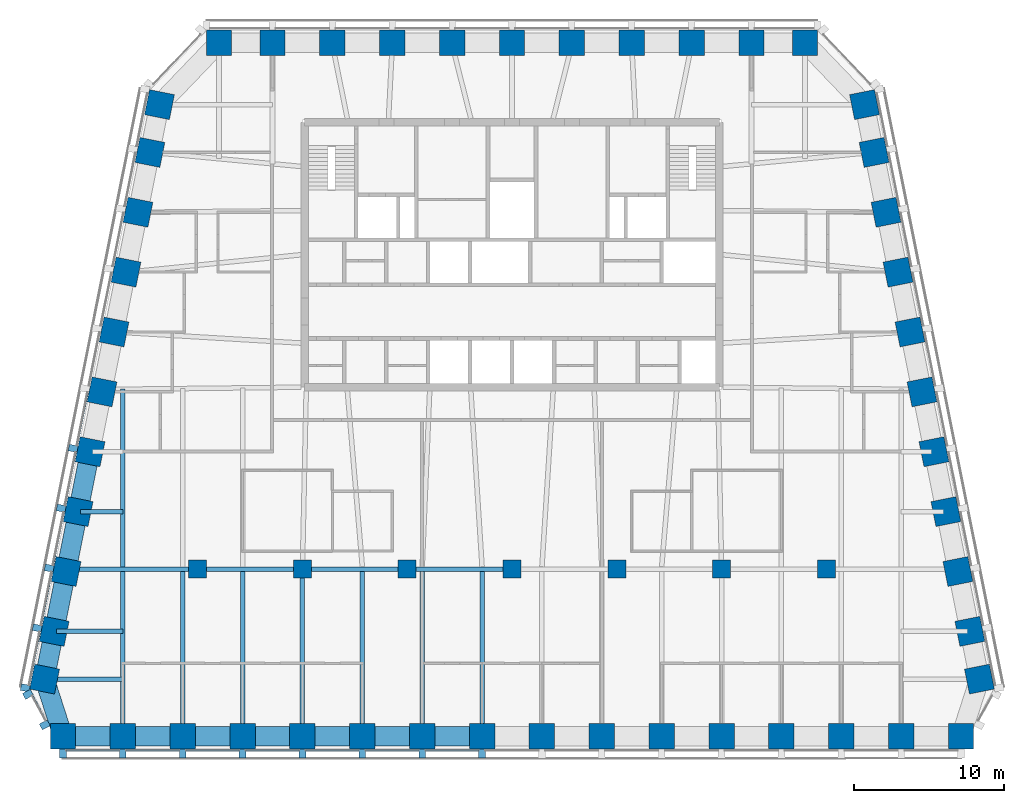
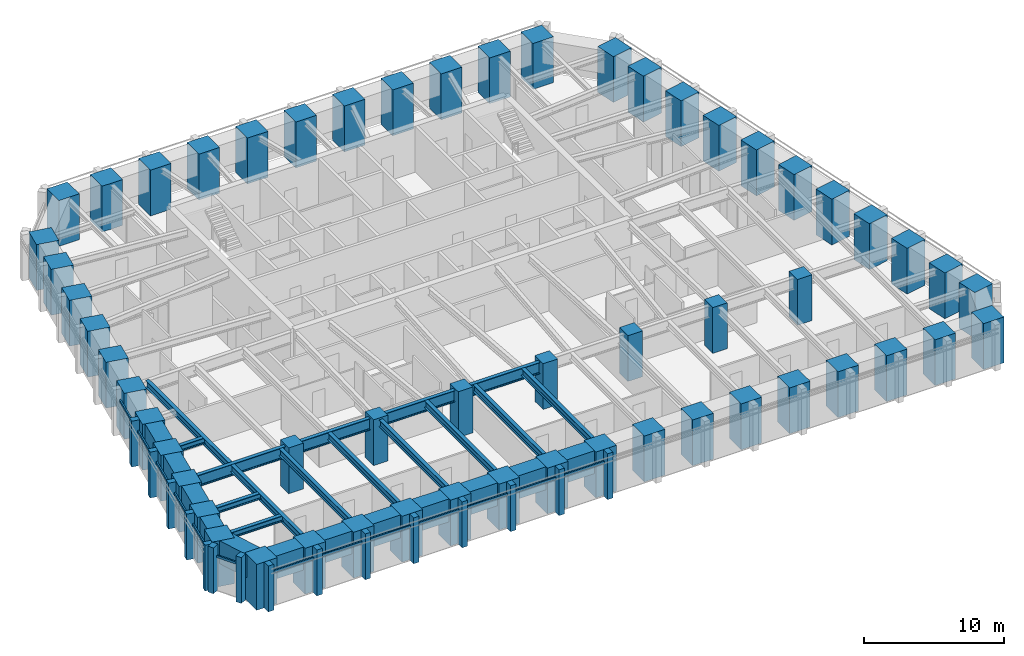
# One storey, part 1 of 11: 56 columns, 28 members, 27 beams, 3 elements without a shape of their own.
"""IFC4 building model written with IfcOpenShell, lengths in metres."""

import ifcopenshell
import ifcopenshell.guid

model = None  # the IFC model being written
_history = None  # IfcOwnerHistory: only IFC2X3 demands one
_inside = {}  # id of a spatial element -> (the spatial element, [elements in it])
_under = {}  # id of a project, library or spatial element -> (it, [spatial elements below it])
_declared = {}  # id of a project -> (the project, [libraries it declares])
_typed = {}  # id of a type object -> (the type object, [elements of that type])
_made_of = {}  # id of a material, layer set ... -> (it, [elements and type objects made of it])


def new_model(schema):
    """Start an empty IFC model of exactly this schema.

    Asked for "IFC4X3", IfcOpenShell would pick the latest addendum, in which some entities
    have other attributes; the version numbers below select the first issue.
    IFC2X3 requires an IfcOwnerHistory on every rooted entity: one is made here for all.
    """
    global model, _history
    if schema == "IFC4X3":
        model = ifcopenshell.file(schema_version=(4, 3, 0, 0))
    else:
        model = ifcopenshell.file(schema=schema)
    _inside.clear()
    _under.clear()
    _declared.clear()
    _typed.clear()
    _made_of.clear()
    _history = None
    if model.schema == "IFC2X3":
        org = make("IfcOrganization", Name="unknown")
        user = make(
            "IfcPersonAndOrganization",
            ThePerson=make("IfcPerson", FamilyName="unknown"),
            TheOrganization=org,
        )
        app = make(
            "IfcApplication",
            ApplicationDeveloper=org,
            Version="unknown",
            ApplicationFullName="unknown",
            ApplicationIdentifier="unknown",
        )
        _history = make(
            "IfcOwnerHistory",
            OwningUser=user,
            OwningApplication=app,
            ChangeAction="ADDED",
            CreationDate=0,
        )
    return model


def make(cls, **values):
    """One entity of the class cls with the attributes given. An attribute that is None is left unset."""
    return model.create_entity(
        cls, **{name: value for name, value in values.items() if value is not None}
    )


def rooted(cls, **values):
    """An entity with a GlobalId (a new one), such as an element, a storey or a relation."""
    return make(cls, GlobalId=ifcopenshell.guid.new(), OwnerHistory=_history, **values)


def si_unit(unit_type, name, prefix=None):
    """IfcSIUnit, for example si_unit("LENGTHUNIT", "METRE", prefix="MILLI")."""
    return make("IfcSIUnit", UnitType=unit_type, Prefix=prefix, Name=name)


def assignment(units):
    """IfcUnitAssignment: the units of a project."""
    return None if units is None else make("IfcUnitAssignment", Units=units)


def point(xyz):
    """IfcCartesianPoint."""
    return None if xyz is None else make("IfcCartesianPoint", Coordinates=xyz)


def direction(xyz):
    """IfcDirection."""
    return None if xyz is None else make("IfcDirection", DirectionRatios=xyz)


def frame(location, z_axis=None, x_axis=None):
    """IfcAxis2Placement3D, a coordinate frame: its origin and axes. An axis left out is left unset."""
    return make(
        "IfcAxis2Placement3D",
        Location=point(location),
        Axis=direction(z_axis),
        RefDirection=direction(x_axis),
    )


def frame_2d(location, x_axis=None):
    """IfcAxis2Placement2D, a coordinate frame in the plane: its origin and x axis."""
    return make(
        "IfcAxis2Placement2D", Location=point(location), RefDirection=direction(x_axis)
    )


def origin():
    """The frame at (0, 0, 0) with its axes left unset."""
    return frame((0.0, 0.0, 0.0))


def origin_2d():
    """The frame at (0, 0) in the plane with its x axis left unset."""
    return frame_2d((0.0, 0.0))


def place(relative_to, where):
    """IfcLocalPlacement: puts the frame where relative to a parent placement (None: the world)."""
    return make(
        "IfcLocalPlacement", PlacementRelTo=relative_to, RelativePlacement=where
    )


def context(
    kind, dimensions, precision=None, world=None, true_north=None, identifier=None
):
    """IfcGeometricRepresentationContext, for example the 3D "Model" context."""
    return make(
        "IfcGeometricRepresentationContext",
        ContextIdentifier=identifier,
        ContextType=kind,
        CoordinateSpaceDimension=dimensions,
        Precision=precision,
        WorldCoordinateSystem=world,
        TrueNorth=true_north,
    )


def subcontext(parent, identifier, kind, view, scale=None):
    """IfcGeometricRepresentationSubContext, for example "Body" below "Model"."""
    return make(
        "IfcGeometricRepresentationSubContext",
        ContextIdentifier=identifier,
        ContextType=kind,
        ParentContext=parent,
        TargetScale=scale,
        TargetView=view,
    )


def project(units=None, contexts=None):
    """IfcProject with its units and contexts."""
    return rooted(
        "IfcProject",
        Name="project",
        RepresentationContexts=contexts,
        UnitsInContext=assignment(units),
    )


def spatial(cls, under=None, at=None, **own):
    """A site, building, storey or space (cls), placed at a placement, below another one or the project."""
    s = rooted(cls, ObjectPlacement=at, **own)
    if under is not None:
        _under.setdefault(under.id(), (under, []))[1].append(s)
    return s


def profile(cls, at=None, kind="AREA", **sizes):
    """A parametric profile (cls). Its sizes go by their IFC names, for example OverallWidth=200.0."""
    return make(cls, ProfileType=kind, Position=at, **sizes)


def rectangle(**sizes):
    """IfcRectangleProfileDef."""
    return profile("IfcRectangleProfileDef", **sizes)


def i_section(**sizes):
    """IfcIShapeProfileDef."""
    return profile("IfcIShapeProfileDef", **sizes)


def extrude(swept, where, along, depth):
    """IfcExtrudedAreaSolid: the profile swept, set in the frame where, extruded along a direction by depth."""
    return make(
        "IfcExtrudedAreaSolid",
        SweptArea=swept,
        Position=where,
        ExtrudedDirection=direction(along),
        Depth=depth,
    )


def shape(context_of_items, identifier, shape_type, items):
    """IfcShapeRepresentation: the items that make up one representation, for example the "Body"."""
    return make(
        "IfcShapeRepresentation",
        ContextOfItems=context_of_items,
        RepresentationIdentifier=identifier,
        RepresentationType=shape_type,
        Items=items,
    )


def material(Name=None, Category=None):
    """IfcMaterial."""
    return make("IfcMaterial", Name=Name, Category=Category)


def material_profile(
    of_material, cross_section, Name=None, Category=None, Priority=None
):
    """IfcMaterialProfile: a cross section and its material."""
    return make(
        "IfcMaterialProfile",
        Name=Name,
        Material=of_material,
        Profile=cross_section,
        Priority=Priority,
        Category=Category,
    )


def profile_set(profiles, Name=None, composite=None):
    """IfcMaterialProfileSet."""
    return make(
        "IfcMaterialProfileSet",
        Name=Name,
        MaterialProfiles=profiles,
        CompositeProfile=composite,
    )


def made_of(thing, what):
    """Note that an element or type object is made of a material, layer set ...; save() writes the relation."""
    if what is not None:
        _made_of.setdefault(what.id(), (what, []))[1].append(thing)
    return thing


def type_object(cls, material=None, **own):
    """A type object (cls), such as IfcWallType, which elements share."""
    return made_of(rooted(cls, **own), material)


def element(
    cls,
    number,
    at=None,
    inside=None,
    cuts=None,
    type_object=None,
    material=None,
    context=None,
    identifier="Body",
    shape_type=None,
    held_by="IfcProductDefinitionShape",
    body=None,
    shapes=None,
    **own,
):
    """One element of the class cls, such as IfcWall. Its Tag is "e" and its number.

    at: its placement. inside: the storey or other place that contains it. cuts: it is an
    opening in that element (IfcRelVoidsElement). A single representation is given by context,
    identifier, shape_type and body (its items); several are given by shapes. held_by: the class
    of the entity that holds the representations. save() writes the other relations.
    """
    e = rooted(cls, Tag="e%d" % number, ObjectPlacement=at, **own)
    if body is not None:
        shapes = [shape(context, identifier, shape_type, body)]
    if shapes is not None:
        e.Representation = make(held_by, Representations=shapes)
    if inside is not None:
        _inside.setdefault(inside.id(), (inside, []))[1].append(e)
    if cuts is not None:
        rooted(
            "IfcRelVoidsElement", RelatingBuildingElement=cuts, RelatedOpeningElement=e
        )
    if type_object is not None:
        _typed.setdefault(type_object.id(), (type_object, []))[1].append(e)
    return made_of(e, material)


def aggregate(whole, parts):
    """IfcRelAggregates: a whole, such as a stair, and the parts it consists of."""
    return rooted("IfcRelAggregates", RelatingObject=whole, RelatedObjects=parts)


def save(model, path):
    """Write the relations noted so far, then the file.

    IfcRelAggregates (storeys below a building ...), IfcRelContainedInSpatialStructure (elements
    in a storey), IfcRelDefinesByType, IfcRelAssociatesMaterial and IfcRelDeclares: one each for
    every whole, place, type object, material and project.
    """
    for whole, parts in _under.values():
        aggregate(whole, parts)
    for where, things in _inside.values():
        rooted(
            "IfcRelContainedInSpatialStructure",
            RelatedElements=things,
            RelatingStructure=where,
        )
    for kind, things in _typed.values():
        rooted("IfcRelDefinesByType", RelatedObjects=things, RelatingType=kind)
    for what, things in _made_of.values():
        rooted("IfcRelAssociatesMaterial", RelatedObjects=things, RelatingMaterial=what)
    for by, libraries in _declared.values():
        rooted("IfcRelDeclares", RelatingContext=by, RelatedDefinitions=libraries)
    model.write(path)


model = new_model("IFC4")

# Units and contexts
model_context = context("Model", 3, precision=1e-05, world=origin(), true_north=direction((0.0, 1.0)))
body_context = subcontext(model_context, "Body", "Model", "MODEL_VIEW")
ifc_project = project(units=[si_unit("LENGTHUNIT", "METRE"), si_unit("AREAUNIT", "SQUARE_METRE"), si_unit("VOLUMEUNIT", "CUBIC_METRE"), si_unit("PLANEANGLEUNIT", "RADIAN"), si_unit("MASSUNIT", "GRAM", prefix="KILO")], contexts=[model_context])

# Site, building, storey
site_placement = place(None, origin())
site = spatial("IfcSite", under=ifc_project, at=site_placement, CompositionType="ELEMENT")
building_placement = place(site_placement, origin())
building = spatial("IfcBuilding", under=site, at=building_placement, Name="Isbrekke Arena Tower", CompositionType="ELEMENT")
storey_placement = place(building_placement, frame((0.0, 0.0, 248.0)))
storey = spatial("IfcBuildingStorey", under=building, at=storey_placement, Name="L57", CompositionType="ELEMENT", Elevation=248.0)

# Columns
ifc_material_1 = material(Name="Concrete B55 (C55/67)", Category="concrete")
ifc_material_profile_1 = material_profile(ifc_material_1, rectangle(XDim=1.199951171875, YDim=1.199951171875, at=origin_2d()), Name="RC 1200x1200")
ifc_profile_set_1 = profile_set([ifc_material_profile_1], Name="Concrete B55 (C55/67)")
column_type_1 = type_object("IfcColumnType", Name="C14 RC 1200 x 1200", PredefinedType="COLUMN", material=ifc_profile_set_1)
for number, where, z_axis, x_axis, name in (
    (1, (-21.0, -6.0, 0.0), (0.0, 0.0, 1.0), (1.0, 0.0, 0.0), "C14 I01"),
    (2, (-14.0, -6.0, 0.0), (0.0, 0.0, 1.0), (1.0, 0.0, 0.0), "C14 I02"),
    (3, (-7.0, -6.0, 0.0), (0.0, 0.0, 1.0), (1.0, 0.0, 0.0), "C14 I03"),
    (4, (0.0, -6.0, 0.0), (0.0, 0.0, 1.0), (1.0, 0.0, 0.0), "C14 I04"),
    (5, (7.0, -6.0, 0.0), (0.0, 0.0, 1.0), (1.0, 0.0, 0.0), "C14 I05"),
    (6, (14.0, -6.0, 0.0), (0.0, 0.0, 1.0), (1.0, 0.0, 0.0), "C14 I06"),
    (7, (21.0, -6.0, 0.0), (0.0, 0.0, 1.0), (1.0, 0.0, 0.0), "C14 I07"),
):
    element("IfcColumn", number, at=place(storey_placement, frame(where, z_axis=z_axis, x_axis=x_axis)), inside=storey, type_object=column_type_1, Name=name, PredefinedType="COLUMN", context=body_context, shape_type="SweptSolid", body=[
        extrude(rectangle(XDim=1.199951171875, YDim=1.199951171875, at=origin_2d()), origin(), (0.0, 0.0, 1.0), 4.0),
    ])
ifc_material_2 = material(Name="Concrete B55 (C55/67)", Category="concrete")
ifc_material_profile_2 = material_profile(ifc_material_2, rectangle(XDim=1.699951171875, YDim=1.699951171875, at=origin_2d()), Name="RC 1700x1700")
ifc_profile_set_2 = profile_set([ifc_material_profile_2], Name="Concrete B55 (C55/67)")
column_type_2 = type_object("IfcColumnType", Name="C5 RC 1700 x 1700", PredefinedType="COLUMN", material=ifc_profile_set_2)
for number, where, z_axis, x_axis, name in (
    (8, (-30.0, -17.175048828125, 0.0), (0.0, 0.0, 1.0), (1.0, 0.0, 0.0), "C5 S01"),
    (9, (-26.0, -17.175048828125, 0.0), (0.0, 0.0, 1.0), (1.0, 0.0, 0.0), "C5 S02"),
    (10, (-22.0, -17.175048828125, 0.0), (0.0, 0.0, 1.0), (1.0, 0.0, 0.0), "C5 S03"),
    (11, (-18.0, -17.175048828125, 0.0), (0.0, 0.0, 1.0), (1.0, 0.0, 0.0), "C5 S04"),
    (12, (-14.0, -17.175048828125, 0.0), (0.0, 0.0, 1.0), (1.0, 0.0, 0.0), "C5 S05"),
    (13, (-10.0, -17.175048828125, 0.0), (0.0, 0.0, 1.0), (1.0, 0.0, 0.0), "C5 S06"),
    (14, (-6.0, -17.175048828125, 0.0), (0.0, 0.0, 1.0), (1.0, 0.0, 0.0), "C5 S07"),
    (15, (-2.0, -17.175048828125, 0.0), (0.0, 0.0, 1.0), (1.0, 0.0, 0.0), "C5 S08"),
    (16, (2.0, -17.175048828125, 0.0), (0.0, 0.0, 1.0), (1.0, 0.0, 0.0), "C5 S09"),
    (17, (6.0, -17.175048828125, 0.0), (0.0, 0.0, 1.0), (1.0, 0.0, 0.0), "C5 S10"),
    (18, (10.0, -17.175048828125, 0.0), (0.0, 0.0, 1.0), (1.0, 0.0, 0.0), "C5 S11"),
    (19, (14.0, -17.175048828125, 0.0), (0.0, 0.0, 1.0), (1.0, 0.0, 0.0), "C5 S12"),
    (20, (18.0, -17.175048828125, 0.0), (0.0, 0.0, 1.0), (1.0, 0.0, 0.0), "C5 S13"),
    (21, (22.0, -17.175048828125, 0.0), (0.0, 0.0, 1.0), (1.0, 0.0, 0.0), "C5 S14"),
    (22, (26.0, -17.175048828125, 0.0), (0.0, 0.0, 1.0), (1.0, 0.0, 0.0), "C5 S15"),
    (23, (30.0, -17.175048828125, 0.0), (0.0, 0.0, 1.0), (1.0, 0.0, 0.0), "C5 S16"),
    (24, (31.229248046875, -13.352783203125, 0.0), (0.0, 0.0, 1.0), (-0.196116135138, 0.980580675691, 0.0), "C5 E01"),
    (25, (30.591064453125, -10.161865234375, 0.0), (0.0, 0.0, 1.0), (-0.196116135138, 0.980580675691, 0.0), "C5 E02"),
    (26, (29.791015625, -6.161865234375, 0.0), (0.0, 0.0, 1.0), (-0.196116135138, 0.980580675691, 0.0), "C5 E03"),
    (27, (28.990966796875, -2.161865234375, 0.0), (0.0, 0.0, 1.0), (-0.196116135138, 0.980580675691, 0.0), "C5 E04"),
    (28, (28.19091796875, 1.838134765625, 0.0), (0.0, 0.0, 1.0), (-0.196116135138, 0.980580675691, 0.0), "C5 E05"),
    (29, (27.39111328125, 5.838134765625, 0.0), (0.0, 0.0, 1.0), (-0.196116135138, 0.980580675691, 0.0), "C5 E06"),
    (30, (26.591064453125, 9.838134765625, 0.0), (0.0, 0.0, 1.0), (-0.196116135138, 0.980580675691, 0.0), "C5 E07"),
    (31, (25.791015625, 13.838134765625, 0.0), (0.0, 0.0, 1.0), (-0.196116135138, 0.980580675691, 0.0), "C5 E08"),
    (32, (24.990966796875, 17.838134765625, 0.0), (0.0, 0.0, 1.0), (-0.196116135138, 0.980580675691, 0.0), "C5 E09"),
    (33, (24.19091796875, 21.838134765625, 0.0), (0.0, 0.0, 1.0), (-0.196116135138, 0.980580675691, 0.0), "C5 E10"),
    (34, (23.552734375, 25.029296875, 0.0), (0.0, 0.0, 1.0), (-0.196116135138, 0.980580675691, 0.0), "C5 E11"),
    (35, (19.574951171875, 29.175048828125, 0.0), (0.0, 0.0, 1.0), (-1.0, 0.0, 0.0), "C5 N01"),
    (36, (16.0, 29.175048828125, 0.0), (0.0, 0.0, 1.0), (-1.0, 0.0, 0.0), "C5 N02"),
    (37, (12.0, 29.175048828125, 0.0), (0.0, 0.0, 1.0), (-1.0, 0.0, 0.0), "C5 N03"),
    (38, (8.0, 29.175048828125, 0.0), (0.0, 0.0, 1.0), (-1.0, 0.0, 0.0), "C5 N04"),
    (39, (4.0, 29.175048828125, 0.0), (0.0, 0.0, 1.0), (-1.0, 0.0, 0.0), "C5 N05"),
    (40, (0.0, 29.175048828125, 0.0), (0.0, 0.0, 1.0), (-1.0, 0.0, 0.0), "C5 N06"),
    (41, (-4.0, 29.175048828125, 0.0), (0.0, 0.0, 1.0), (-1.0, 0.0, 0.0), "C5 N07"),
    (42, (-8.0, 29.175048828125, 0.0), (0.0, 0.0, 1.0), (-1.0, 0.0, 0.0), "C5 N08"),
    (43, (-12.0, 29.175048828125, 0.0), (0.0, 0.0, 1.0), (-1.0, 0.0, 0.0), "C5 N09"),
    (44, (-16.0, 29.175048828125, 0.0), (0.0, 0.0, 1.0), (-1.0, 0.0, 0.0), "C5 N10"),
    (45, (-19.574951171875, 29.175048828125, 0.0), (0.0, 0.0, 1.0), (-1.0, 0.0, 0.0), "C5 N11"),
    (46, (-23.552734375, 25.029296875, 0.0), (0.0, 0.0, 1.0), (-0.196116135138, -0.980580675691, 0.0), "C5 W01"),
    (47, (-24.19091796875, 21.838134765625, 0.0), (0.0, 0.0, 1.0), (-0.196116135138, -0.980580675691, 0.0), "C5 W02"),
    (48, (-24.990966796875, 17.838134765625, 0.0), (0.0, 0.0, 1.0), (-0.196116135138, -0.980580675691, 0.0), "C5 W03"),
    (49, (-25.791015625, 13.838134765625, 0.0), (0.0, 0.0, 1.0), (-0.196116135138, -0.980580675691, 0.0), "C5 W04"),
    (50, (-26.591064453125, 9.838134765625, 0.0), (0.0, 0.0, 1.0), (-0.196116135138, -0.980580675691, 0.0), "C5 W05"),
    (51, (-27.39111328125, 5.838134765625, 0.0), (0.0, 0.0, 1.0), (-0.196116135138, -0.980580675691, 0.0), "C5 W06"),
    (52, (-28.19091796875, 1.838134765625, 0.0), (0.0, 0.0, 1.0), (-0.196116135138, -0.980580675691, 0.0), "C5 W07"),
    (53, (-28.990966796875, -2.161865234375, 0.0), (0.0, 0.0, 1.0), (-0.196116135138, -0.980580675691, 0.0), "C5 W08"),
    (54, (-29.791015625, -6.161865234375, 0.0), (0.0, 0.0, 1.0), (-0.196116135138, -0.980580675691, 0.0), "C5 W09"),
    (55, (-30.591064453125, -10.161865234375, 0.0), (0.0, 0.0, 1.0), (-0.196116135138, -0.980580675691, 0.0), "C5 W10"),
    (56, (-31.229248046875, -13.352783203125, 0.0), (0.0, 0.0, 1.0), (-0.196116135138, -0.980580675691, 0.0), "C5 W11"),
):
    element("IfcColumn", number, at=place(storey_placement, frame(where, z_axis=z_axis, x_axis=x_axis)), inside=storey, type_object=column_type_2, Name=name, PredefinedType="COLUMN", context=body_context, shape_type="SweptSolid", body=[
        extrude(rectangle(XDim=1.699951171875, YDim=1.699951171875, at=origin_2d()), origin(), (0.0, 0.0, 1.0), 4.0),
    ])

# Beams
ifc_material_3 = material(Name="Steel S355", Category="steel")
ifc_material_profile_3 = material_profile(ifc_material_3, i_section(OverallWidth=0.304931640625, OverallDepth=0.6201171875, WebThickness=0.02099609375, FlangeThickness=0.0400390625, FilletRadius=0.027099609375, at=origin_2d()), Name="HEM 600")
ifc_profile_set_3 = profile_set([ifc_material_profile_3], Name="Steel S355")
beam_type_1 = type_object("IfcBeamType", Name="B4 HEM 600", PredefinedType="BEAM", material=ifc_profile_set_3)
for number, where, z_axis, x_axis, name in (
    (57, (-26.0, -17.02490234375, 3.5400390625), (0.0, 1.0, 0.0), (-1.0, 0.0, 0.0), "B4 beam S-S02 L57"),
    (58, (-22.0, -17.02490234375, 3.5400390625), (0.0, 1.0, 0.0), (-1.0, 0.0, 0.0), "B4 beam S-S03 L57"),
    (59, (-18.0, -17.02490234375, 3.5400390625), (0.0, 1.0, 0.0), (-1.0, 0.0, 0.0), "B4 beam S-S04 L57"),
):
    element("IfcBeam", number, at=place(storey_placement, frame(where, z_axis=z_axis, x_axis=x_axis)), inside=storey, type_object=beam_type_1, Name=name, PredefinedType="BEAM", context=body_context, shape_type="SweptSolid", body=[
        extrude(i_section(OverallWidth=0.304931640625, OverallDepth=0.6201171875, WebThickness=0.02099609375, FlangeThickness=0.0400390625, FilletRadius=0.027099609375, at=origin_2d()), origin(), (0.0, 0.0, 1.0), 10.8740234375),
    ])
beam_1_placement = place(storey_placement, frame((-14.0, -17.02490234375, 3.5400390625), z_axis=(0.0, 1.0, 0.0), x_axis=(-1.0, 0.0, 0.0)))
element("IfcBeam", 60, at=beam_1_placement, inside=storey, type_object=beam_type_1, Name="B4 beam S-S05 L57", PredefinedType="BEAM", context=body_context, shape_type="SweptSolid", body=[
    extrude(i_section(OverallWidth=0.304931640625, OverallDepth=0.6201171875, WebThickness=0.02099609375, FlangeThickness=0.0400390625, FilletRadius=0.027099609375, at=origin_2d()), origin(), (0.0, 0.0, 1.0), 10.875),
])
for number, where, z_axis, x_axis, name in (
    (61, (-10.0, -17.02490234375, 3.5400390625), (0.0, 1.0, 0.0), (-1.0, 0.0, 0.0), "B4 beam S-S06 L57"),
    (62, (-6.0, -17.02490234375, 3.5400390625), (0.0, 1.0, 0.0), (-1.0, 0.0, 0.0), "B4 beam S-S07 L57"),
    (63, (-2.0, -17.02490234375, 3.5400390625), (0.0, 1.0, 0.0), (-1.0, 0.0, 0.0), "B4 beam S-S08 L57"),
):
    element("IfcBeam", number, at=place(storey_placement, frame(where, z_axis=z_axis, x_axis=x_axis)), inside=storey, type_object=beam_type_1, Name=name, PredefinedType="BEAM", context=body_context, shape_type="SweptSolid", body=[
        extrude(i_section(OverallWidth=0.304931640625, OverallDepth=0.6201171875, WebThickness=0.02099609375, FlangeThickness=0.0400390625, FilletRadius=0.027099609375, at=origin_2d()), origin(), (0.0, 0.0, 1.0), 10.8740234375),
    ])
beam_2_placement = place(storey_placement, frame((-26.0, -5.84912109375, 3.5400390625), z_axis=(0.0, 1.0, 0.0), x_axis=(-1.0, 0.0, 0.0)))
element("IfcBeam", 64, at=beam_2_placement, inside=storey, type_object=beam_type_1, Name="B4 beam C-M01 L57", PredefinedType="BEAM", context=body_context, shape_type="SweptSolid", body=[
    extrude(i_section(OverallWidth=0.304931640625, OverallDepth=0.6201171875, WebThickness=0.02099609375, FlangeThickness=0.0400390625, FilletRadius=0.027099609375, at=origin_2d()), origin(), (0.0, 0.0, 1.0), 11.86474609375),
])
ifc_material_4 = material(Name="Steel S355", Category="steel")
ifc_material_profile_4 = material_profile(ifc_material_4, i_section(OverallWidth=0.305908203125, OverallDepth=0.52392578125, WebThickness=0.02099609375, FlangeThickness=0.0400390625, FilletRadius=0.027099609375, at=origin_2d()), Name="HEM 500")
ifc_profile_set_4 = profile_set([ifc_material_profile_4], Name="Steel S355")
beam_type_2 = type_object("IfcBeamType", Name="B5 HEM 500", PredefinedType="BEAM", material=ifc_profile_set_4)
beam_3_placement = place(storey_placement, frame((-28.841064453125, -2.161865234375, 3.587890625), z_axis=(1.0, 0.0, 0.0), x_axis=(0.0, 1.0, 0.0)))
element("IfcBeam", 65, at=beam_3_placement, inside=storey, type_object=beam_type_2, Name="B5 beam E-W08 L57", PredefinedType="BEAM", context=body_context, shape_type="SweptSolid", body=[
    extrude(i_section(OverallWidth=0.305908203125, OverallDepth=0.52392578125, WebThickness=0.02099609375, FlangeThickness=0.0400390625, FilletRadius=0.027099609375, at=origin_2d()), origin(), (0.0, 0.0, 1.0), 2.841064453125),
])
beam_4_placement = place(storey_placement, frame((-30.44091796875, -10.161865234375, 3.587890625), z_axis=(1.0, 0.0, 0.0), x_axis=(0.0, 1.0, 0.0)))
element("IfcBeam", 66, at=beam_4_placement, inside=storey, type_object=beam_type_2, Name="B5 beam E-W10 L57", PredefinedType="BEAM", context=body_context, shape_type="SweptSolid", body=[
    extrude(i_section(OverallWidth=0.305908203125, OverallDepth=0.52392578125, WebThickness=0.02099609375, FlangeThickness=0.0400390625, FilletRadius=0.027099609375, at=origin_2d()), origin(), (0.0, 0.0, 1.0), 4.44091796875),
])
beam_5_placement = place(storey_placement, frame((-31.079345703125, -13.352783203125, 3.587890625), z_axis=(1.0, 0.0, 0.0), x_axis=(0.0, 1.0, 0.0)))
element("IfcBeam", 67, at=beam_5_placement, inside=storey, type_object=beam_type_2, Name="B5 beam E-W11 L57", PredefinedType="BEAM", context=body_context, shape_type="SweptSolid", body=[
    extrude(i_section(OverallWidth=0.305908203125, OverallDepth=0.52392578125, WebThickness=0.02099609375, FlangeThickness=0.0400390625, FilletRadius=0.027099609375, at=origin_2d()), origin(), (0.0, 0.0, 1.0), 5.079345703125),
])

# Curtain wall, members
ifc_material_5 = material(Name="Glazed aluminium curtain wall", Category="aluminium")
curtain_wall_type = type_object("IfcCurtainWallType", Name="CWT TOWER CURTAIN WALL TOP ZONE", PredefinedType="USERDEFINED", material=ifc_material_5)
curtain_wall_1_placement = place(storey_placement, origin())
curtain_wall_1 = element("IfcCurtainWall", 68, at=curtain_wall_1_placement, inside=storey, type_object=curtain_wall_type, Name="CWT curtain wall L57-S", ObjectType="TOWER CURTAIN WALL TOP ZONE", PredefinedType="USERDEFINED")
ifc_material_6 = material(Name="Copper-clad aluminium mullion", Category="aluminium")
ifc_material_profile_5 = material_profile(ifc_material_6, rectangle(XDim=0.449951171875, YDim=0.60009765625, at=origin_2d()), Name="PIER 450X600")
ifc_profile_set_5 = profile_set([ifc_material_profile_5], Name="Copper-clad aluminium mullion")
member_type_1 = type_object("IfcMemberType", Name="CWT-M PIER MULLION 450 x 600", PredefinedType="MULLION", material=ifc_profile_set_5)
member_1_placement = place(storey_placement, frame((-30.0, -18.324951171875, 0.0), z_axis=(0.0, 0.0, 1.0), x_axis=(1.0, 0.0, 0.0)))
member_1 = element("IfcMember", 69, at=member_1_placement, type_object=member_type_1, Name="CWT-M mullion 1", PredefinedType="MULLION", context=body_context, shape_type="SweptSolid", body=[
    extrude(rectangle(XDim=0.449951171875, YDim=0.60009765625, at=origin_2d()), origin(), (0.0, 0.0, 1.0), 4.0),
])
member_2_placement = place(storey_placement, frame((-26.0, -18.324951171875, 0.0), z_axis=(0.0, 0.0, 1.0), x_axis=(1.0, 0.0, 0.0)))
member_2 = element("IfcMember", 70, at=member_2_placement, type_object=member_type_1, Name="CWT-M mullion 2", PredefinedType="MULLION", context=body_context, shape_type="SweptSolid", body=[
    extrude(rectangle(XDim=0.449951171875, YDim=0.60009765625, at=origin_2d()), origin(), (0.0, 0.0, 1.0), 4.0),
])
member_3_placement = place(storey_placement, frame((-22.0, -18.324951171875, 0.0), z_axis=(0.0, 0.0, 1.0), x_axis=(1.0, 0.0, 0.0)))
member_3 = element("IfcMember", 71, at=member_3_placement, type_object=member_type_1, Name="CWT-M mullion 3", PredefinedType="MULLION", context=body_context, shape_type="SweptSolid", body=[
    extrude(rectangle(XDim=0.449951171875, YDim=0.60009765625, at=origin_2d()), origin(), (0.0, 0.0, 1.0), 4.0),
])
member_4_placement = place(storey_placement, frame((-18.0, -18.324951171875, 0.0), z_axis=(0.0, 0.0, 1.0), x_axis=(1.0, 0.0, 0.0)))
member_4 = element("IfcMember", 72, at=member_4_placement, type_object=member_type_1, Name="CWT-M mullion 4", PredefinedType="MULLION", context=body_context, shape_type="SweptSolid", body=[
    extrude(rectangle(XDim=0.449951171875, YDim=0.60009765625, at=origin_2d()), origin(), (0.0, 0.0, 1.0), 4.0),
])
member_5_placement = place(storey_placement, frame((-14.0, -18.324951171875, 0.0), z_axis=(0.0, 0.0, 1.0), x_axis=(1.0, 0.0, 0.0)))
member_5 = element("IfcMember", 73, at=member_5_placement, type_object=member_type_1, Name="CWT-M mullion 5", PredefinedType="MULLION", context=body_context, shape_type="SweptSolid", body=[
    extrude(rectangle(XDim=0.449951171875, YDim=0.60009765625, at=origin_2d()), origin(), (0.0, 0.0, 1.0), 4.0),
])
member_6_placement = place(storey_placement, frame((-10.0, -18.324951171875, 0.0), z_axis=(0.0, 0.0, 1.0), x_axis=(1.0, 0.0, 0.0)))
member_6 = element("IfcMember", 74, at=member_6_placement, type_object=member_type_1, Name="CWT-M mullion 6", PredefinedType="MULLION", context=body_context, shape_type="SweptSolid", body=[
    extrude(rectangle(XDim=0.449951171875, YDim=0.60009765625, at=origin_2d()), origin(), (0.0, 0.0, 1.0), 4.0),
])
member_7_placement = place(storey_placement, frame((-6.0, -18.324951171875, 0.0), z_axis=(0.0, 0.0, 1.0), x_axis=(1.0, 0.0, 0.0)))
member_7 = element("IfcMember", 75, at=member_7_placement, type_object=member_type_1, Name="CWT-M mullion 7", PredefinedType="MULLION", context=body_context, shape_type="SweptSolid", body=[
    extrude(rectangle(XDim=0.449951171875, YDim=0.60009765625, at=origin_2d()), origin(), (0.0, 0.0, 1.0), 4.0),
])
member_8_placement = place(storey_placement, frame((-2.0, -18.324951171875, 0.0), z_axis=(0.0, 0.0, 1.0), x_axis=(1.0, 0.0, 0.0)))
member_8 = element("IfcMember", 76, at=member_8_placement, type_object=member_type_1, Name="CWT-M mullion 8", PredefinedType="MULLION", context=body_context, shape_type="SweptSolid", body=[
    extrude(rectangle(XDim=0.449951171875, YDim=0.60009765625, at=origin_2d()), origin(), (0.0, 0.0, 1.0), 4.0),
])

curtain_wall_2_placement = place(storey_placement, origin())
curtain_wall_2 = element("IfcCurtainWall", 77, at=curtain_wall_2_placement, inside=storey, type_object=curtain_wall_type, Name="CWT curtain wall L57-W", ObjectType="TOWER CURTAIN WALL TOP ZONE", PredefinedType="USERDEFINED")
member_9_placement = place(storey_placement, frame((-29.318603515625, 2.063720703125, 0.0), z_axis=(0.0, 0.0, 1.0), x_axis=(-0.196116135138, -0.980580675691, 0.0)))
member_9 = element("IfcMember", 78, at=member_9_placement, type_object=member_type_1, Name="CWT-M mullion 7", PredefinedType="MULLION", context=body_context, shape_type="SweptSolid", body=[
    extrude(rectangle(XDim=0.449951171875, YDim=0.60009765625, at=origin_2d()), origin(), (0.0, 0.0, 1.0), 4.0),
])
member_10_placement = place(storey_placement, frame((-30.11865234375, -1.936279296875, 0.0), z_axis=(0.0, 0.0, 1.0), x_axis=(-0.196116135138, -0.980580675691, 0.0)))
member_10 = element("IfcMember", 79, at=member_10_placement, type_object=member_type_1, Name="CWT-M mullion 8", PredefinedType="MULLION", context=body_context, shape_type="SweptSolid", body=[
    extrude(rectangle(XDim=0.449951171875, YDim=0.60009765625, at=origin_2d()), origin(), (0.0, 0.0, 1.0), 4.0),
])
member_11_placement = place(storey_placement, frame((-30.918701171875, -5.936279296875, 0.0), z_axis=(0.0, 0.0, 1.0), x_axis=(-0.196116135138, -0.980580675691, 0.0)))
member_11 = element("IfcMember", 80, at=member_11_placement, type_object=member_type_1, Name="CWT-M mullion 9", PredefinedType="MULLION", context=body_context, shape_type="SweptSolid", body=[
    extrude(rectangle(XDim=0.449951171875, YDim=0.60009765625, at=origin_2d()), origin(), (0.0, 0.0, 1.0), 4.0),
])
member_12_placement = place(storey_placement, frame((-31.71875, -9.936279296875, 0.0), z_axis=(0.0, 0.0, 1.0), x_axis=(-0.196116135138, -0.980580675691, 0.0)))
member_12 = element("IfcMember", 81, at=member_12_placement, type_object=member_type_1, Name="CWT-M mullion 10", PredefinedType="MULLION", context=body_context, shape_type="SweptSolid", body=[
    extrude(rectangle(XDim=0.449951171875, YDim=0.60009765625, at=origin_2d()), origin(), (0.0, 0.0, 1.0), 4.0),
])
member_13_placement = place(storey_placement, frame((-32.518798828125, -13.936279296875, 0.0), z_axis=(0.0, 0.0, 1.0), x_axis=(-0.196116135138, -0.980580675691, 0.0)))
member_13 = element("IfcMember", 82, at=member_13_placement, type_object=member_type_1, Name="CWT-M mullion 11", PredefinedType="MULLION", context=body_context, shape_type="SweptSolid", body=[
    extrude(rectangle(XDim=0.449951171875, YDim=0.60009765625, at=origin_2d()), origin(), (0.0, 0.0, 1.0), 4.0),
])

curtain_wall_3_placement = place(storey_placement, origin())
curtain_wall_3 = element("IfcCurtainWall", 83, at=curtain_wall_3_placement, inside=storey, type_object=curtain_wall_type, Name="CWT curtain wall L57-WS", ObjectType="TOWER CURTAIN WALL TOP ZONE", PredefinedType="USERDEFINED")
member_14_placement = place(storey_placement, frame((-32.34033203125, -14.367431640625, 0.0), z_axis=(0.0, 0.0, 1.0), x_axis=(0.481918749773, -0.876215908676, 0.0)))
member_14 = element("IfcMember", 84, at=member_14_placement, type_object=member_type_1, Name="CWT-M mullion 1", PredefinedType="MULLION", context=body_context, shape_type="SweptSolid", body=[
    extrude(rectangle(XDim=0.449951171875, YDim=0.60009765625, at=origin_2d()), origin(), (0.0, 0.0, 1.0), 4.0),
])
member_15_placement = place(storey_placement, frame((-31.21826171875, -16.407470703125, 0.0), z_axis=(0.0, 0.0, 1.0), x_axis=(0.481918749773, -0.876215908676, 0.0)))
member_15 = element("IfcMember", 85, at=member_15_placement, type_object=member_type_1, Name="CWT-M mullion 2", PredefinedType="MULLION", context=body_context, shape_type="SweptSolid", body=[
    extrude(rectangle(XDim=0.449951171875, YDim=0.60009765625, at=origin_2d()), origin(), (0.0, 0.0, 1.0), 4.0),
])

# Member
ifc_material_7 = material(Name="Aluminium transom", Category="aluminium")
ifc_material_profile_6 = material_profile(ifc_material_7, rectangle(XDim=0.1201171875, YDim=0.199951171875, at=origin_2d()), Name="TRANSOM 120X200")
ifc_profile_set_6 = profile_set([ifc_material_profile_6], Name="Aluminium transom")
member_type_2 = type_object("IfcMemberType", Name="CWT-T TRANSOM 120 x 200", PredefinedType="USERDEFINED", material=ifc_profile_set_6)
member_16_placement = place(storey_placement, frame((-29.77490234375, -18.125, 3.0), z_axis=(1.0, 0.0, 0.0), x_axis=(0.0, 1.0, 0.0)))
member_16 = element("IfcMember", 86, at=member_16_placement, type_object=member_type_2, Name="CWT-T transom 1", ObjectType="TRANSOM", PredefinedType="USERDEFINED", context=body_context, shape_type="SweptSolid", body=[
    extrude(rectangle(XDim=0.1201171875, YDim=0.199951171875, at=origin_2d()), origin(), (0.0, 0.0, 1.0), 3.5498046875),
])

member_17_placement = place(storey_placement, frame((-25.77490234375, -18.125, 3.0), z_axis=(1.0, 0.0, 0.0), x_axis=(0.0, 1.0, 0.0)))
member_17 = element("IfcMember", 87, at=member_17_placement, type_object=member_type_2, Name="CWT-T transom 2", ObjectType="TRANSOM", PredefinedType="USERDEFINED", context=body_context, shape_type="SweptSolid", body=[
    extrude(rectangle(XDim=0.1201171875, YDim=0.199951171875, at=origin_2d()), origin(), (0.0, 0.0, 1.0), 3.5498046875),
])

member_18_placement = place(storey_placement, frame((-21.77490234375, -18.125, 3.0), z_axis=(1.0, 0.0, 0.0), x_axis=(0.0, 1.0, 0.0)))
member_18 = element("IfcMember", 88, at=member_18_placement, type_object=member_type_2, Name="CWT-T transom 3", ObjectType="TRANSOM", PredefinedType="USERDEFINED", context=body_context, shape_type="SweptSolid", body=[
    extrude(rectangle(XDim=0.1201171875, YDim=0.199951171875, at=origin_2d()), origin(), (0.0, 0.0, 1.0), 3.5498046875),
])

member_19_placement = place(storey_placement, frame((-17.77490234375, -18.125, 3.0), z_axis=(1.0, 0.0, 0.0), x_axis=(0.0, 1.0, 0.0)))
member_19 = element("IfcMember", 89, at=member_19_placement, type_object=member_type_2, Name="CWT-T transom 4", ObjectType="TRANSOM", PredefinedType="USERDEFINED", context=body_context, shape_type="SweptSolid", body=[
    extrude(rectangle(XDim=0.1201171875, YDim=0.199951171875, at=origin_2d()), origin(), (0.0, 0.0, 1.0), 3.5498046875),
])

member_20_placement = place(storey_placement, frame((-13.77490234375, -18.125, 3.0), z_axis=(1.0, 0.0, 0.0), x_axis=(0.0, 1.0, 0.0)))
member_20 = element("IfcMember", 90, at=member_20_placement, type_object=member_type_2, Name="CWT-T transom 5", ObjectType="TRANSOM", PredefinedType="USERDEFINED", context=body_context, shape_type="SweptSolid", body=[
    extrude(rectangle(XDim=0.1201171875, YDim=0.199951171875, at=origin_2d()), origin(), (0.0, 0.0, 1.0), 3.5498046875),
])

member_21_placement = place(storey_placement, frame((-9.77490234375, -18.125, 3.0), z_axis=(1.0, 0.0, 0.0), x_axis=(0.0, 1.0, 0.0)))
member_21 = element("IfcMember", 91, at=member_21_placement, type_object=member_type_2, Name="CWT-T transom 6", ObjectType="TRANSOM", PredefinedType="USERDEFINED", context=body_context, shape_type="SweptSolid", body=[
    extrude(rectangle(XDim=0.1201171875, YDim=0.199951171875, at=origin_2d()), origin(), (0.0, 0.0, 1.0), 3.5498046875),
])

member_22_placement = place(storey_placement, frame((-5.77490234375, -18.125, 3.0), z_axis=(1.0, 0.0, 0.0), x_axis=(0.0, 1.0, 0.0)))
member_22 = element("IfcMember", 92, at=member_22_placement, type_object=member_type_2, Name="CWT-T transom 7", ObjectType="TRANSOM", PredefinedType="USERDEFINED", context=body_context, shape_type="SweptSolid", body=[
    extrude(rectangle(XDim=0.1201171875, YDim=0.199951171875, at=origin_2d()), origin(), (0.0, 0.0, 1.0), 3.5498046875),
])

aggregate(curtain_wall_1, [member_1, member_2, member_3, member_4, member_5, member_6, member_7, member_8, member_16, member_17, member_18, member_19, member_20, member_21, member_22])

member_23_placement = place(storey_placement, frame((-28.36669921875, 5.803955078125, 3.0), z_axis=(-0.196090262229, -0.980585849918, 0.0), x_axis=(0.980585849918, -0.196090262229, 0.0)))
member_23 = element("IfcMember", 93, at=member_23_placement, type_object=member_type_2, Name="CWT-T transom 6", ObjectType="TRANSOM", PredefinedType="USERDEFINED", context=body_context, shape_type="SweptSolid", body=[
    extrude(rectangle(XDim=0.1201171875, YDim=0.199951171875, at=origin_2d()), origin(), (0.0, 0.0, 1.0), 3.62939453125),
])

member_24_placement = place(storey_placement, frame((-29.166748046875, 1.803955078125, 3.0), z_axis=(-0.196090262229, -0.980585849918, 0.0), x_axis=(0.980585849918, -0.196090262229, 0.0)))
member_24 = element("IfcMember", 94, at=member_24_placement, type_object=member_type_2, Name="CWT-T transom 7", ObjectType="TRANSOM", PredefinedType="USERDEFINED", context=body_context, shape_type="SweptSolid", body=[
    extrude(rectangle(XDim=0.1201171875, YDim=0.199951171875, at=origin_2d()), origin(), (0.0, 0.0, 1.0), 3.62939453125),
])

member_25_placement = place(storey_placement, frame((-29.966796875, -2.196044921875, 3.0), z_axis=(-0.196090262229, -0.980585849918, 0.0), x_axis=(0.980585849918, -0.196090262229, 0.0)))
member_25 = element("IfcMember", 95, at=member_25_placement, type_object=member_type_2, Name="CWT-T transom 8", ObjectType="TRANSOM", PredefinedType="USERDEFINED", context=body_context, shape_type="SweptSolid", body=[
    extrude(rectangle(XDim=0.1201171875, YDim=0.199951171875, at=origin_2d()), origin(), (0.0, 0.0, 1.0), 3.62939453125),
])

member_26_placement = place(storey_placement, frame((-30.7666015625, -6.196044921875, 3.0), z_axis=(-0.196154943734, -0.980572913173, 0.0), x_axis=(0.980572913173, -0.196154943734, 0.0)))
member_26 = element("IfcMember", 96, at=member_26_placement, type_object=member_type_2, Name="CWT-T transom 9", ObjectType="TRANSOM", PredefinedType="USERDEFINED", context=body_context, shape_type="SweptSolid", body=[
    extrude(rectangle(XDim=0.1201171875, YDim=0.199951171875, at=origin_2d()), origin(), (0.0, 0.0, 1.0), 3.62939453125),
])

member_27_placement = place(storey_placement, frame((-31.566650390625, -10.196044921875, 3.0), z_axis=(-0.196154943734, -0.980572913173, 0.0), x_axis=(0.980572913173, -0.196154943734, 0.0)))
member_27 = element("IfcMember", 97, at=member_27_placement, type_object=member_type_2, Name="CWT-T transom 10", ObjectType="TRANSOM", PredefinedType="USERDEFINED", context=body_context, shape_type="SweptSolid", body=[
    extrude(rectangle(XDim=0.1201171875, YDim=0.199951171875, at=origin_2d()), origin(), (0.0, 0.0, 1.0), 3.62939453125),
])

aggregate(curtain_wall_2, [member_9, member_10, member_11, member_12, member_13, member_23, member_24, member_25, member_26, member_27])

member_28_placement = place(storey_placement, frame((-32.056640625, -14.46826171875, 3.0), z_axis=(0.481918749772, -0.876215908677, 0.0), x_axis=(0.876215908677, 0.481918749772, 0.0)))
member_28 = element("IfcMember", 98, at=member_28_placement, type_object=member_type_2, Name="CWT-T transom 1", ObjectType="TRANSOM", PredefinedType="USERDEFINED", context=body_context, shape_type="SweptSolid", body=[
    extrude(rectangle(XDim=0.1201171875, YDim=0.199951171875, at=origin_2d()), origin(), (0.0, 0.0, 1.0), 1.8779296875),
])

aggregate(curtain_wall_3, [member_14, member_15, member_28])

# Beams
ifc_material_8 = material(Name="Steel S355", Category="steel")
ifc_material_profile_7 = material_profile(ifc_material_8, i_section(OverallWidth=0.302001953125, OverallDepth=1.008056640625, WebThickness=0.02099609375, FlangeThickness=0.0400390625, FilletRadius=0.030029296875, at=origin_2d()), Name="HEM 1000")
ifc_profile_set_7 = profile_set([ifc_material_profile_7], Name="Steel S355")
beam_type_3 = type_object("IfcBeamType", Name="G1 HEM 1000", PredefinedType="BEAM", material=ifc_profile_set_7)
beam_6_placement = place(storey_placement, frame((-29.791015625, -6.0, 3.345947265625), z_axis=(1.0, 0.0, 0.0), x_axis=(0.0, 1.0, 0.0)))
element("IfcBeam", 99, at=beam_6_placement, inside=storey, type_object=beam_type_3, Name="G1 beam G1-01 L57", PredefinedType="BEAM", context=body_context, shape_type="SweptSolid", body=[
    extrude(i_section(OverallWidth=0.302001953125, OverallDepth=1.008056640625, WebThickness=0.02099609375, FlangeThickness=0.0400390625, FilletRadius=0.030029296875, at=origin_2d()), origin(), (0.0, 0.0, 1.0), 8.64111328125),
])
for number, where, z_axis, x_axis, name in (
    (100, (-20.85009765625, -6.0, 3.345947265625), (1.0, 0.0, 0.0), (0.0, 1.0, 0.0), "G1 beam G1-02 L57"),
    (101, (-13.85009765625, -6.0, 3.345947265625), (1.0, 0.0, 0.0), (0.0, 1.0, 0.0), "G1 beam G1-03 L57"),
    (102, (-6.85009765625, -6.0, 3.345947265625), (1.0, 0.0, 0.0), (0.0, 1.0, 0.0), "G1 beam G1-04 L57"),
):
    element("IfcBeam", number, at=place(storey_placement, frame(where, z_axis=z_axis, x_axis=x_axis)), inside=storey, type_object=beam_type_3, Name=name, PredefinedType="BEAM", context=body_context, shape_type="SweptSolid", body=[
        extrude(i_section(OverallWidth=0.302001953125, OverallDepth=1.008056640625, WebThickness=0.02099609375, FlangeThickness=0.0400390625, FilletRadius=0.030029296875, at=origin_2d()), origin(), (0.0, 0.0, 1.0), 6.7001953125),
    ])
ifc_material_9 = material(Name="Concrete B55 (C55/67)", Category="concrete")
ifc_material_profile_8 = material_profile(ifc_material_9, rectangle(XDim=1.300048828125, YDim=2.0, at=origin_2d()), Name="RC 1300x2000")
ifc_profile_set_8 = profile_set([ifc_material_profile_8], Name="Concrete B55 (C55/67)")
beam_type_4 = type_object("IfcBeamType", Name="SB4 RC 1300 x 2000", PredefinedType="SPANDREL", material=ifc_profile_set_8)
for number, where, z_axis, x_axis, name in (
    (103, (-29.85009765625, -17.175048828125, 3.0), (1.0, 0.0, 0.0), (0.0, 1.0, 0.0), "SB4 spandrel S01-S02 L57"),
    (104, (-25.85009765625, -17.175048828125, 3.0), (1.0, 0.0, 0.0), (0.0, 1.0, 0.0), "SB4 spandrel S02-S03 L57"),
    (105, (-21.85009765625, -17.175048828125, 3.0), (1.0, 0.0, 0.0), (0.0, 1.0, 0.0), "SB4 spandrel S03-S04 L57"),
    (106, (-17.85009765625, -17.175048828125, 3.0), (1.0, 0.0, 0.0), (0.0, 1.0, 0.0), "SB4 spandrel S04-S05 L57"),
    (107, (-13.85009765625, -17.175048828125, 3.0), (1.0, 0.0, 0.0), (0.0, 1.0, 0.0), "SB4 spandrel S05-S06 L57"),
    (108, (-9.85009765625, -17.175048828125, 3.0), (1.0, 0.0, 0.0), (0.0, 1.0, 0.0), "SB4 spandrel S06-S07 L57"),
    (109, (-5.85009765625, -17.175048828125, 3.0), (1.0, 0.0, 0.0), (0.0, 1.0, 0.0), "SB4 spandrel S07-S08 L57"),
):
    element("IfcBeam", number, at=place(storey_placement, frame(where, z_axis=z_axis, x_axis=x_axis)), inside=storey, type_object=beam_type_4, Name=name, PredefinedType="SPANDREL", context=body_context, shape_type="SweptSolid", body=[
        extrude(rectangle(XDim=1.300048828125, YDim=2.0, at=origin_2d()), origin(), (0.0, 0.0, 1.0), 3.7001953125),
    ])
for number, where, z_axis, x_axis, name in (
    (110, (-28.220458984375, 1.691162109375, 3.0), (-0.196128558387, -0.980578190959, 0.0), (0.980578190959, -0.196128558387, 0.0), "SB4 spandrel W07-W08 L57"),
    (111, (-29.0205078125, -2.308837890625, 3.0), (-0.196128558387, -0.980578190959, 0.0), (0.980578190959, -0.196128558387, 0.0), "SB4 spandrel W08-W09 L57"),
):
    element("IfcBeam", number, at=place(storey_placement, frame(where, z_axis=z_axis, x_axis=x_axis)), inside=storey, type_object=beam_type_4, Name=name, PredefinedType="SPANDREL", context=body_context, shape_type="SweptSolid", body=[
        extrude(rectangle(XDim=1.300048828125, YDim=2.0, at=origin_2d()), origin(), (0.0, 0.0, 1.0), 3.779296875),
    ])
beam_7_placement = place(storey_placement, frame((-29.820556640625, -6.308837890625, 3.0), z_axis=(-0.1960664412, -0.980590613169, 0.0), x_axis=(0.980590613169, -0.1960664412, 0.0)))
element("IfcBeam", 112, at=beam_7_placement, inside=storey, type_object=beam_type_4, Name="SB4 spandrel W09-W10 L57", PredefinedType="SPANDREL", context=body_context, shape_type="SweptSolid", body=[
    extrude(rectangle(XDim=1.300048828125, YDim=2.0, at=origin_2d()), origin(), (0.0, 0.0, 1.0), 3.779052734375),
])
beam_8_placement = place(storey_placement, frame((-30.620361328125, -10.308837890625, 3.0), z_axis=(-0.196100243168, -0.980583853951, 0.0), x_axis=(0.980583853951, -0.196100243168, 0.0)))
element("IfcBeam", 113, at=beam_8_placement, inside=storey, type_object=beam_type_4, Name="SB4 spandrel W10-W11 L57", PredefinedType="SPANDREL", context=body_context, shape_type="SweptSolid", body=[
    extrude(rectangle(XDim=1.300048828125, YDim=2.0, at=origin_2d()), origin(), (0.0, 0.0, 1.0), 2.954345703125),
])
beam_9_placement = place(storey_placement, frame((-31.183349609375, -13.49560546875, 3.0), z_axis=(0.306175101476, -0.951975213562, 0.0), x_axis=(0.951975213562, 0.306175101476, 0.0)))
element("IfcBeam", 114, at=beam_9_placement, inside=storey, type_object=beam_type_4, Name="SB4 spandrel W11-S01 L57", PredefinedType="SPANDREL", context=body_context, shape_type="SweptSolid", body=[
    extrude(rectangle(XDim=1.300048828125, YDim=2.0, at=origin_2d()), origin(), (0.0, 0.0, 1.0), 3.715087890625),
])

save(model, "model.ifc")
